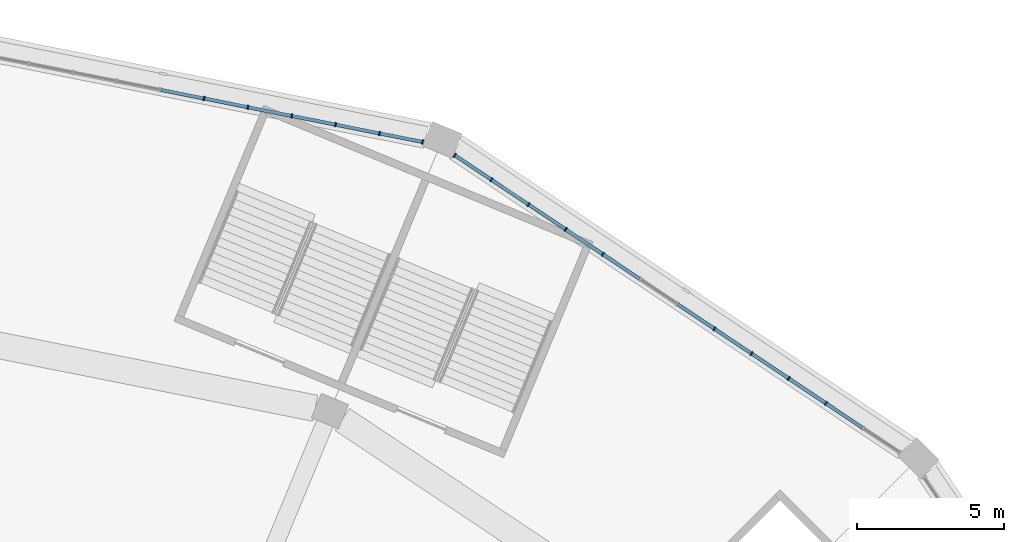
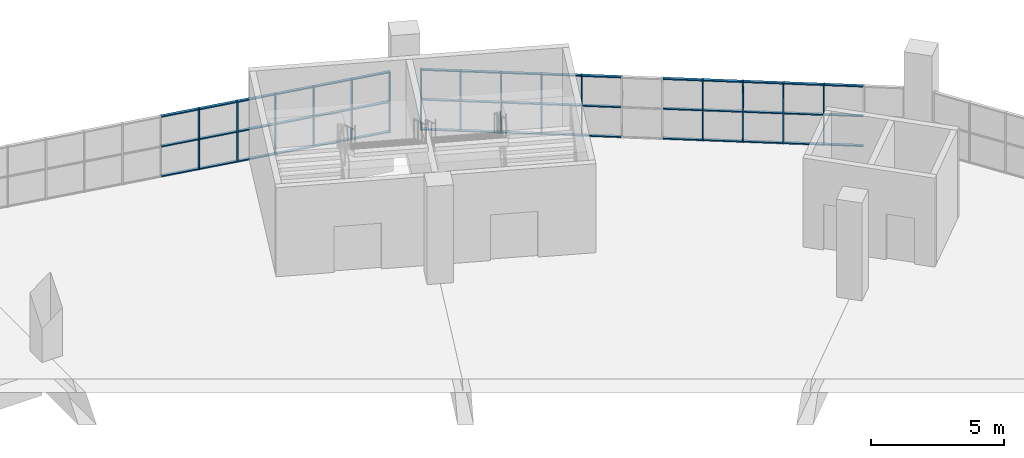
# One storey, part 53 of 199: 63 members, 2 elements without a shape of their own.
"""IFC4 building model written with IfcOpenShell, lengths in metres."""

import ifcopenshell
import ifcopenshell.guid

model = None  # the IFC model being written
_history = None  # IfcOwnerHistory: only IFC2X3 demands one
_inside = {}  # id of a spatial element -> (the spatial element, [elements in it])
_under = {}  # id of a project, library or spatial element -> (it, [spatial elements below it])
_declared = {}  # id of a project -> (the project, [libraries it declares])
_typed = {}  # id of a type object -> (the type object, [elements of that type])
_made_of = {}  # id of a material, layer set ... -> (it, [elements and type objects made of it])


def new_model(schema):
    """Start an empty IFC model of exactly this schema.

    Asked for "IFC4X3", IfcOpenShell would pick the latest addendum, in which some entities
    have other attributes; the version numbers below select the first issue.
    IFC2X3 requires an IfcOwnerHistory on every rooted entity: one is made here for all.
    """
    global model, _history
    if schema == "IFC4X3":
        model = ifcopenshell.file(schema_version=(4, 3, 0, 0))
    else:
        model = ifcopenshell.file(schema=schema)
    _inside.clear()
    _under.clear()
    _declared.clear()
    _typed.clear()
    _made_of.clear()
    _history = None
    if model.schema == "IFC2X3":
        org = make("IfcOrganization", Name="unknown")
        user = make(
            "IfcPersonAndOrganization",
            ThePerson=make("IfcPerson", FamilyName="unknown"),
            TheOrganization=org,
        )
        app = make(
            "IfcApplication",
            ApplicationDeveloper=org,
            Version="unknown",
            ApplicationFullName="unknown",
            ApplicationIdentifier="unknown",
        )
        _history = make(
            "IfcOwnerHistory",
            OwningUser=user,
            OwningApplication=app,
            ChangeAction="ADDED",
            CreationDate=0,
        )
    return model


def make(cls, **values):
    """One entity of the class cls with the attributes given. An attribute that is None is left unset."""
    return model.create_entity(
        cls, **{name: value for name, value in values.items() if value is not None}
    )


def rooted(cls, **values):
    """An entity with a GlobalId (a new one), such as an element, a storey or a relation."""
    return make(cls, GlobalId=ifcopenshell.guid.new(), OwnerHistory=_history, **values)


def si_unit(unit_type, name, prefix=None):
    """IfcSIUnit, for example si_unit("LENGTHUNIT", "METRE", prefix="MILLI")."""
    return make("IfcSIUnit", UnitType=unit_type, Prefix=prefix, Name=name)


def assignment(units):
    """IfcUnitAssignment: the units of a project."""
    return None if units is None else make("IfcUnitAssignment", Units=units)


def point(xyz):
    """IfcCartesianPoint."""
    return None if xyz is None else make("IfcCartesianPoint", Coordinates=xyz)


def direction(xyz):
    """IfcDirection."""
    return None if xyz is None else make("IfcDirection", DirectionRatios=xyz)


def frame(location, z_axis=None, x_axis=None):
    """IfcAxis2Placement3D, a coordinate frame: its origin and axes. An axis left out is left unset."""
    return make(
        "IfcAxis2Placement3D",
        Location=point(location),
        Axis=direction(z_axis),
        RefDirection=direction(x_axis),
    )


def frame_2d(location, x_axis=None):
    """IfcAxis2Placement2D, a coordinate frame in the plane: its origin and x axis."""
    return make(
        "IfcAxis2Placement2D", Location=point(location), RefDirection=direction(x_axis)
    )


def origin():
    """The frame at (0, 0, 0) with its axes left unset."""
    return frame((0.0, 0.0, 0.0))


def origin_2d():
    """The frame at (0, 0) in the plane with its x axis left unset."""
    return frame_2d((0.0, 0.0))


def place(relative_to, where):
    """IfcLocalPlacement: puts the frame where relative to a parent placement (None: the world)."""
    return make(
        "IfcLocalPlacement", PlacementRelTo=relative_to, RelativePlacement=where
    )


def context(
    kind, dimensions, precision=None, world=None, true_north=None, identifier=None
):
    """IfcGeometricRepresentationContext, for example the 3D "Model" context."""
    return make(
        "IfcGeometricRepresentationContext",
        ContextIdentifier=identifier,
        ContextType=kind,
        CoordinateSpaceDimension=dimensions,
        Precision=precision,
        WorldCoordinateSystem=world,
        TrueNorth=true_north,
    )


def subcontext(parent, identifier, kind, view, scale=None):
    """IfcGeometricRepresentationSubContext, for example "Body" below "Model"."""
    return make(
        "IfcGeometricRepresentationSubContext",
        ContextIdentifier=identifier,
        ContextType=kind,
        ParentContext=parent,
        TargetScale=scale,
        TargetView=view,
    )


def project(units=None, contexts=None):
    """IfcProject with its units and contexts."""
    return rooted(
        "IfcProject",
        Name="project",
        RepresentationContexts=contexts,
        UnitsInContext=assignment(units),
    )


def spatial(cls, under=None, at=None, **own):
    """A site, building, storey or space (cls), placed at a placement, below another one or the project."""
    s = rooted(cls, ObjectPlacement=at, **own)
    if under is not None:
        _under.setdefault(under.id(), (under, []))[1].append(s)
    return s


def profile(cls, at=None, kind="AREA", **sizes):
    """A parametric profile (cls). Its sizes go by their IFC names, for example OverallWidth=200.0."""
    return make(cls, ProfileType=kind, Position=at, **sizes)


def rectangle(**sizes):
    """IfcRectangleProfileDef."""
    return profile("IfcRectangleProfileDef", **sizes)


def extrude(swept, where, along, depth):
    """IfcExtrudedAreaSolid: the profile swept, set in the frame where, extruded along a direction by depth."""
    return make(
        "IfcExtrudedAreaSolid",
        SweptArea=swept,
        Position=where,
        ExtrudedDirection=direction(along),
        Depth=depth,
    )


def shape(context_of_items, identifier, shape_type, items):
    """IfcShapeRepresentation: the items that make up one representation, for example the "Body"."""
    return make(
        "IfcShapeRepresentation",
        ContextOfItems=context_of_items,
        RepresentationIdentifier=identifier,
        RepresentationType=shape_type,
        Items=items,
    )


def material(Name=None, Category=None):
    """IfcMaterial."""
    return make("IfcMaterial", Name=Name, Category=Category)


def material_profile(
    of_material, cross_section, Name=None, Category=None, Priority=None
):
    """IfcMaterialProfile: a cross section and its material."""
    return make(
        "IfcMaterialProfile",
        Name=Name,
        Material=of_material,
        Profile=cross_section,
        Priority=Priority,
        Category=Category,
    )


def profile_set(profiles, Name=None, composite=None):
    """IfcMaterialProfileSet."""
    return make(
        "IfcMaterialProfileSet",
        Name=Name,
        MaterialProfiles=profiles,
        CompositeProfile=composite,
    )


def made_of(thing, what):
    """Note that an element or type object is made of a material, layer set ...; save() writes the relation."""
    if what is not None:
        _made_of.setdefault(what.id(), (what, []))[1].append(thing)
    return thing


def type_object(cls, material=None, **own):
    """A type object (cls), such as IfcWallType, which elements share."""
    return made_of(rooted(cls, **own), material)


def element(
    cls,
    number,
    at=None,
    inside=None,
    cuts=None,
    type_object=None,
    material=None,
    context=None,
    identifier="Body",
    shape_type=None,
    held_by="IfcProductDefinitionShape",
    body=None,
    shapes=None,
    **own,
):
    """One element of the class cls, such as IfcWall. Its Tag is "e" and its number.

    at: its placement. inside: the storey or other place that contains it. cuts: it is an
    opening in that element (IfcRelVoidsElement). A single representation is given by context,
    identifier, shape_type and body (its items); several are given by shapes. held_by: the class
    of the entity that holds the representations. save() writes the other relations.
    """
    e = rooted(cls, Tag="e%d" % number, ObjectPlacement=at, **own)
    if body is not None:
        shapes = [shape(context, identifier, shape_type, body)]
    if shapes is not None:
        e.Representation = make(held_by, Representations=shapes)
    if inside is not None:
        _inside.setdefault(inside.id(), (inside, []))[1].append(e)
    if cuts is not None:
        rooted(
            "IfcRelVoidsElement", RelatingBuildingElement=cuts, RelatedOpeningElement=e
        )
    if type_object is not None:
        _typed.setdefault(type_object.id(), (type_object, []))[1].append(e)
    return made_of(e, material)


def aggregate(whole, parts):
    """IfcRelAggregates: a whole, such as a stair, and the parts it consists of."""
    return rooted("IfcRelAggregates", RelatingObject=whole, RelatedObjects=parts)


def save(model, path):
    """Write the relations noted so far, then the file.

    IfcRelAggregates (storeys below a building ...), IfcRelContainedInSpatialStructure (elements
    in a storey), IfcRelDefinesByType, IfcRelAssociatesMaterial and IfcRelDeclares: one each for
    every whole, place, type object, material and project.
    """
    for whole, parts in _under.values():
        aggregate(whole, parts)
    for where, things in _inside.values():
        rooted(
            "IfcRelContainedInSpatialStructure",
            RelatedElements=things,
            RelatingStructure=where,
        )
    for kind, things in _typed.values():
        rooted("IfcRelDefinesByType", RelatedObjects=things, RelatingType=kind)
    for what, things in _made_of.values():
        rooted("IfcRelAssociatesMaterial", RelatedObjects=things, RelatingMaterial=what)
    for by, libraries in _declared.values():
        rooted("IfcRelDeclares", RelatingContext=by, RelatedDefinitions=libraries)
    model.write(path)


model = new_model("IFC4")

# Units and contexts
model_context = context("Model", 3, precision=1e-05, world=origin(), true_north=direction((0.0, 1.0)))
body_context = subcontext(model_context, "Body", "Model", "MODEL_VIEW")
ifc_project = project(units=[si_unit("LENGTHUNIT", "METRE"), si_unit("AREAUNIT", "SQUARE_METRE"), si_unit("VOLUMEUNIT", "CUBIC_METRE"), si_unit("PLANEANGLEUNIT", "RADIAN"), si_unit("MASSUNIT", "GRAM", prefix="KILO")], contexts=[model_context])

# Site, building, storey
site_placement = place(None, origin())
site = spatial("IfcSite", under=ifc_project, at=site_placement, CompositionType="ELEMENT")
building_placement = place(site_placement, origin())
building = spatial("IfcBuilding", under=site, at=building_placement, Name="Ogive Plaza Stadium", CompositionType="ELEMENT")
storey_placement = place(building_placement, frame((0.0, 0.0, 9.0)))
storey = spatial("IfcBuildingStorey", under=building, at=storey_placement, Name="L02", CompositionType="ELEMENT", Elevation=9.0)

# Curtain wall, members
ifc_material_1 = material(Name="Bronze-anodised aluminium with laminated glass", Category="aluminium")
curtain_wall_type = type_object("IfcCurtainWallType", Name="Lancet curtain wall", PredefinedType="NOTDEFINED", material=ifc_material_1)
curtain_wall_1_placement = place(storey_placement, origin())
curtain_wall_1 = element("IfcCurtainWall", 1, at=curtain_wall_1_placement, inside=storey, type_object=curtain_wall_type, Name="CURTAIN WALL B37 L02", PredefinedType="NOTDEFINED")
ifc_material_2 = material(Name="Bronze-anodised aluminium", Category="aluminium")
ifc_material_profile_1 = material_profile(ifc_material_2, rectangle(XDim=0.14990234375, YDim=0.050048828125, at=origin_2d()), Name="AL 150x50")
ifc_profile_set_1 = profile_set([ifc_material_profile_1], Name="Bronze-anodised aluminium")
member_type_1 = type_object("IfcMemberType", Name="Curtain wall mullion 50x150", PredefinedType="MULLION", material=ifc_profile_set_1)
member_1_placement = place(storey_placement, frame((45.021240234375, 100.103759765625, 0.0), z_axis=(0.0, 0.0, 1.0), x_axis=(0.195090322033, 0.9807852804, 0.0)))
member_1 = element("IfcMember", 2, at=member_1_placement, type_object=member_type_1, Name="CW-B37-L02 mullion 8", PredefinedType="MULLION", context=body_context, shape_type="SweptSolid", body=[
    extrude(rectangle(XDim=0.14990234375, YDim=0.050048828125, at=origin_2d()), origin(), (0.0, 0.0, 1.0), 2.7900390625),
])
member_2_placement = place(storey_placement, frame((46.51416015625, 99.806884765625, 0.0), z_axis=(0.0, 0.0, 1.0), x_axis=(0.195090322033, 0.9807852804, 0.0)))
member_2 = element("IfcMember", 3, at=member_2_placement, type_object=member_type_1, Name="CW-B37-L02 mullion 9", PredefinedType="MULLION", context=body_context, shape_type="SweptSolid", body=[
    extrude(rectangle(XDim=0.14990234375, YDim=0.050048828125, at=origin_2d()), origin(), (0.0, 0.0, 1.0), 2.7900390625),
])
member_3_placement = place(storey_placement, frame((48.00732421875, 99.509765625, 0.0), z_axis=(0.0, 0.0, 1.0), x_axis=(0.195090322033, 0.9807852804, 0.0)))
member_3 = element("IfcMember", 4, at=member_3_placement, type_object=member_type_1, Name="CW-B37-L02 mullion 10", PredefinedType="MULLION", context=body_context, shape_type="SweptSolid", body=[
    extrude(rectangle(XDim=0.14990234375, YDim=0.050048828125, at=origin_2d()), origin(), (0.0, 0.0, 1.0), 2.7900390625),
])
member_4_placement = place(storey_placement, frame((49.50048828125, 99.212890625, 0.0), z_axis=(0.0, 0.0, 1.0), x_axis=(0.195090322033, 0.9807852804, 0.0)))
member_4 = element("IfcMember", 5, at=member_4_placement, type_object=member_type_1, Name="CW-B37-L02 mullion 11", PredefinedType="MULLION", context=body_context, shape_type="SweptSolid", body=[
    extrude(rectangle(XDim=0.14990234375, YDim=0.050048828125, at=origin_2d()), origin(), (0.0, 0.0, 1.0), 2.7900390625),
])
member_5_placement = place(storey_placement, frame((50.99365234375, 98.915771484375, 0.0), z_axis=(0.0, 0.0, 1.0), x_axis=(0.195090322033, 0.9807852804, 0.0)))
member_5 = element("IfcMember", 6, at=member_5_placement, type_object=member_type_1, Name="CW-B37-L02 mullion 12", PredefinedType="MULLION", context=body_context, shape_type="SweptSolid", body=[
    extrude(rectangle(XDim=0.14990234375, YDim=0.050048828125, at=origin_2d()), origin(), (0.0, 0.0, 1.0), 2.7900390625),
])
member_6_placement = place(storey_placement, frame((52.462158203125, 98.623779296875, 0.0), z_axis=(0.0, 0.0, 1.0), x_axis=(0.195090322033, 0.9807852804, 0.0)))
member_6 = element("IfcMember", 7, at=member_6_placement, type_object=member_type_1, Name="CW-B37-L02 mullion 13", PredefinedType="MULLION", context=body_context, shape_type="SweptSolid", body=[
    extrude(rectangle(XDim=0.14990234375, YDim=0.050048828125, at=origin_2d()), origin(), (0.0, 0.0, 1.0), 2.7900390625),
])

curtain_wall_2_placement = place(storey_placement, origin())
curtain_wall_2 = element("IfcCurtainWall", 8, at=curtain_wall_2_placement, inside=storey, type_object=curtain_wall_type, Name="CURTAIN WALL B38 L02", PredefinedType="NOTDEFINED")
member_7_placement = place(storey_placement, frame((53.559814453125, 98.169189453125, 0.0), z_axis=(0.0, 0.0, 1.0), x_axis=(0.55557023302, 0.831469612303, 0.0)))
member_7 = element("IfcMember", 9, at=member_7_placement, type_object=member_type_1, Name="CW-B38-L02 mullion 1", PredefinedType="MULLION", context=body_context, shape_type="SweptSolid", body=[
    extrude(rectangle(XDim=0.14990234375, YDim=0.050048828125, at=origin_2d()), origin(), (0.0, 0.0, 1.0), 2.7900390625),
])
member_8_placement = place(storey_placement, frame((54.8046875, 97.337158203125, 0.0), z_axis=(0.0, 0.0, 1.0), x_axis=(0.55557023302, 0.831469612303, 0.0)))
member_8 = element("IfcMember", 10, at=member_8_placement, type_object=member_type_1, Name="CW-B38-L02 mullion 2", PredefinedType="MULLION", context=body_context, shape_type="SweptSolid", body=[
    extrude(rectangle(XDim=0.14990234375, YDim=0.050048828125, at=origin_2d()), origin(), (0.0, 0.0, 1.0), 2.7900390625),
])
member_9_placement = place(storey_placement, frame((56.070556640625, 96.491455078125, 0.0), z_axis=(0.0, 0.0, 1.0), x_axis=(0.55557023302, 0.831469612303, 0.0)))
member_9 = element("IfcMember", 11, at=member_9_placement, type_object=member_type_1, Name="CW-B38-L02 mullion 3", PredefinedType="MULLION", context=body_context, shape_type="SweptSolid", body=[
    extrude(rectangle(XDim=0.14990234375, YDim=0.050048828125, at=origin_2d()), origin(), (0.0, 0.0, 1.0), 2.7900390625),
])
member_10_placement = place(storey_placement, frame((57.336181640625, 95.645751953125, 0.0), z_axis=(0.0, 0.0, 1.0), x_axis=(0.55557023302, 0.831469612303, 0.0)))
member_10 = element("IfcMember", 12, at=member_10_placement, type_object=member_type_1, Name="CW-B38-L02 mullion 4", PredefinedType="MULLION", context=body_context, shape_type="SweptSolid", body=[
    extrude(rectangle(XDim=0.14990234375, YDim=0.050048828125, at=origin_2d()), origin(), (0.0, 0.0, 1.0), 2.7900390625),
])
member_11_placement = place(storey_placement, frame((58.60205078125, 94.7998046875, 0.0), z_axis=(0.0, 0.0, 1.0), x_axis=(0.55557023302, 0.831469612303, 0.0)))
member_11 = element("IfcMember", 13, at=member_11_placement, type_object=member_type_1, Name="CW-B38-L02 mullion 5", PredefinedType="MULLION", context=body_context, shape_type="SweptSolid", body=[
    extrude(rectangle(XDim=0.14990234375, YDim=0.050048828125, at=origin_2d()), origin(), (0.0, 0.0, 1.0), 2.7900390625),
])
member_12_placement = place(storey_placement, frame((62.3994140625, 92.2626953125, 0.0), z_axis=(0.0, 0.0, 1.0), x_axis=(0.55557023302, 0.831469612303, 0.0)))
member_12 = element("IfcMember", 14, at=member_12_placement, type_object=member_type_1, Name="CW-B38-L02 mullion 8", PredefinedType="MULLION", context=body_context, shape_type="SweptSolid", body=[
    extrude(rectangle(XDim=0.14990234375, YDim=0.050048828125, at=origin_2d()), origin(), (0.0, 0.0, 1.0), 2.7900390625),
])
member_13_placement = place(storey_placement, frame((63.665283203125, 91.416748046875, 0.0), z_axis=(0.0, 0.0, 1.0), x_axis=(0.55557023302, 0.831469612303, 0.0)))
member_13 = element("IfcMember", 15, at=member_13_placement, type_object=member_type_1, Name="CW-B38-L02 mullion 9", PredefinedType="MULLION", context=body_context, shape_type="SweptSolid", body=[
    extrude(rectangle(XDim=0.14990234375, YDim=0.050048828125, at=origin_2d()), origin(), (0.0, 0.0, 1.0), 2.7900390625),
])
member_14_placement = place(storey_placement, frame((64.930908203125, 90.571044921875, 0.0), z_axis=(0.0, 0.0, 1.0), x_axis=(0.55557023302, 0.831469612303, 0.0)))
member_14 = element("IfcMember", 16, at=member_14_placement, type_object=member_type_1, Name="CW-B38-L02 mullion 10", PredefinedType="MULLION", context=body_context, shape_type="SweptSolid", body=[
    extrude(rectangle(XDim=0.14990234375, YDim=0.050048828125, at=origin_2d()), origin(), (0.0, 0.0, 1.0), 2.7900390625),
])
member_15_placement = place(storey_placement, frame((66.19677734375, 89.725341796875, 0.0), z_axis=(0.0, 0.0, 1.0), x_axis=(0.55557023302, 0.831469612303, 0.0)))
member_15 = element("IfcMember", 17, at=member_15_placement, type_object=member_type_1, Name="CW-B38-L02 mullion 11", PredefinedType="MULLION", context=body_context, shape_type="SweptSolid", body=[
    extrude(rectangle(XDim=0.14990234375, YDim=0.050048828125, at=origin_2d()), origin(), (0.0, 0.0, 1.0), 2.7900390625),
])

# Member
ifc_material_3 = material(Name="Bronze-anodised aluminium", Category="aluminium")
ifc_material_profile_2 = material_profile(ifc_material_3, rectangle(XDim=0.1201171875, YDim=0.050048828125, at=origin_2d()), Name="AL 120x50")
ifc_profile_set_2 = profile_set([ifc_material_profile_2], Name="Bronze-anodised aluminium")
member_type_2 = type_object("IfcMemberType", Name="Curtain wall transom 50x120", PredefinedType="USERDEFINED", material=ifc_profile_set_2)
member_16_placement = place(storey_placement, frame((43.552490234375, 100.39599609375, 0.02490234375), z_axis=(0.980771529367, -0.195159440417, 0.0), x_axis=(0.195159440417, 0.980771529367, 0.0)))
member_16 = element("IfcMember", 18, at=member_16_placement, type_object=member_type_2, Name="CW-B37-L02 transom 7.1", ObjectType="TRANSOM", PredefinedType="USERDEFINED", context=body_context, shape_type="SweptSolid", body=[
    extrude(rectangle(XDim=0.1201171875, YDim=0.050048828125, at=origin_2d()), origin(), (0.0, 0.0, 1.0), 1.472412109375),
])

member_17_placement = place(storey_placement, frame((43.552490234375, 100.39599609375, 1.39501953125), z_axis=(0.980771529367, -0.195159440417, 0.0), x_axis=(0.195159440417, 0.980771529367, 0.0)))
member_17 = element("IfcMember", 19, at=member_17_placement, type_object=member_type_2, Name="CW-B37-L02 transom 7.2", ObjectType="TRANSOM", PredefinedType="USERDEFINED", context=body_context, shape_type="SweptSolid", body=[
    extrude(rectangle(XDim=0.1201171875, YDim=0.050048828125, at=origin_2d()), origin(), (0.0, 0.0, 1.0), 1.472412109375),
])

member_18_placement = place(storey_placement, frame((43.552490234375, 100.39599609375, 2.764892578125), z_axis=(0.980771529367, -0.195159440417, 0.0), x_axis=(0.195159440417, 0.980771529367, 0.0)))
member_18 = element("IfcMember", 20, at=member_18_placement, type_object=member_type_2, Name="CW-B37-L02 transom 7.3", ObjectType="TRANSOM", PredefinedType="USERDEFINED", context=body_context, shape_type="SweptSolid", body=[
    extrude(rectangle(XDim=0.1201171875, YDim=0.050048828125, at=origin_2d()), origin(), (0.0, 0.0, 1.0), 1.472412109375),
])

member_19_placement = place(storey_placement, frame((45.045654296875, 100.098876953125, 0.02490234375), z_axis=(0.980803254763, -0.194999937042, 0.0), x_axis=(0.194999937042, 0.980803254763, 0.0)))
member_19 = element("IfcMember", 21, at=member_19_placement, type_object=member_type_2, Name="CW-B37-L02 transom 8.1", ObjectType="TRANSOM", PredefinedType="USERDEFINED", context=body_context, shape_type="SweptSolid", body=[
    extrude(rectangle(XDim=0.1201171875, YDim=0.050048828125, at=origin_2d()), origin(), (0.0, 0.0, 1.0), 1.472412109375),
])

member_20_placement = place(storey_placement, frame((45.045654296875, 100.098876953125, 1.39501953125), z_axis=(0.980803254763, -0.194999937042, 0.0), x_axis=(0.194999937042, 0.980803254763, 0.0)))
member_20 = element("IfcMember", 22, at=member_20_placement, type_object=member_type_2, Name="CW-B37-L02 transom 8.2", ObjectType="TRANSOM", PredefinedType="USERDEFINED", context=body_context, shape_type="SweptSolid", body=[
    extrude(rectangle(XDim=0.1201171875, YDim=0.050048828125, at=origin_2d()), origin(), (0.0, 0.0, 1.0), 1.472412109375),
])

member_21_placement = place(storey_placement, frame((45.045654296875, 100.098876953125, 2.764892578125), z_axis=(0.980803254763, -0.194999937042, 0.0), x_axis=(0.194999937042, 0.980803254763, 0.0)))
member_21 = element("IfcMember", 23, at=member_21_placement, type_object=member_type_2, Name="CW-B37-L02 transom 8.3", ObjectType="TRANSOM", PredefinedType="USERDEFINED", context=body_context, shape_type="SweptSolid", body=[
    extrude(rectangle(XDim=0.1201171875, YDim=0.050048828125, at=origin_2d()), origin(), (0.0, 0.0, 1.0), 1.472412109375),
])

member_22_placement = place(storey_placement, frame((46.538818359375, 99.802001953125, 0.02490234375), z_axis=(0.980771529367, -0.195159440417, 0.0), x_axis=(0.195159440417, 0.980771529367, 0.0)))
member_22 = element("IfcMember", 24, at=member_22_placement, type_object=member_type_2, Name="CW-B37-L02 transom 9.1", ObjectType="TRANSOM", PredefinedType="USERDEFINED", context=body_context, shape_type="SweptSolid", body=[
    extrude(rectangle(XDim=0.1201171875, YDim=0.050048828125, at=origin_2d()), origin(), (0.0, 0.0, 1.0), 1.472412109375),
])

member_23_placement = place(storey_placement, frame((46.538818359375, 99.802001953125, 1.39501953125), z_axis=(0.980771529367, -0.195159440417, 0.0), x_axis=(0.195159440417, 0.980771529367, 0.0)))
member_23 = element("IfcMember", 25, at=member_23_placement, type_object=member_type_2, Name="CW-B37-L02 transom 9.2", ObjectType="TRANSOM", PredefinedType="USERDEFINED", context=body_context, shape_type="SweptSolid", body=[
    extrude(rectangle(XDim=0.1201171875, YDim=0.050048828125, at=origin_2d()), origin(), (0.0, 0.0, 1.0), 1.472412109375),
])

member_24_placement = place(storey_placement, frame((46.538818359375, 99.802001953125, 2.764892578125), z_axis=(0.980771529367, -0.195159440417, 0.0), x_axis=(0.195159440417, 0.980771529367, 0.0)))
member_24 = element("IfcMember", 26, at=member_24_placement, type_object=member_type_2, Name="CW-B37-L02 transom 9.3", ObjectType="TRANSOM", PredefinedType="USERDEFINED", context=body_context, shape_type="SweptSolid", body=[
    extrude(rectangle(XDim=0.1201171875, YDim=0.050048828125, at=origin_2d()), origin(), (0.0, 0.0, 1.0), 1.472412109375),
])

member_25_placement = place(storey_placement, frame((48.031982421875, 99.5048828125, 0.02490234375), z_axis=(0.980796948065, -0.19503165555, 0.0), x_axis=(0.19503165555, 0.980796948065, 0.0)))
member_25 = element("IfcMember", 27, at=member_25_placement, type_object=member_type_2, Name="CW-B37-L02 transom 10.1", ObjectType="TRANSOM", PredefinedType="USERDEFINED", context=body_context, shape_type="SweptSolid", body=[
    extrude(rectangle(XDim=0.1201171875, YDim=0.050048828125, at=origin_2d()), origin(), (0.0, 0.0, 1.0), 1.47216796875),
])

member_26_placement = place(storey_placement, frame((48.031982421875, 99.5048828125, 1.39501953125), z_axis=(0.980796948065, -0.19503165555, 0.0), x_axis=(0.19503165555, 0.980796948065, 0.0)))
member_26 = element("IfcMember", 28, at=member_26_placement, type_object=member_type_2, Name="CW-B37-L02 transom 10.2", ObjectType="TRANSOM", PredefinedType="USERDEFINED", context=body_context, shape_type="SweptSolid", body=[
    extrude(rectangle(XDim=0.1201171875, YDim=0.050048828125, at=origin_2d()), origin(), (0.0, 0.0, 1.0), 1.47216796875),
])

member_27_placement = place(storey_placement, frame((48.031982421875, 99.5048828125, 2.764892578125), z_axis=(0.980796948065, -0.19503165555, 0.0), x_axis=(0.19503165555, 0.980796948065, 0.0)))
member_27 = element("IfcMember", 29, at=member_27_placement, type_object=member_type_2, Name="CW-B37-L02 transom 10.3", ObjectType="TRANSOM", PredefinedType="USERDEFINED", context=body_context, shape_type="SweptSolid", body=[
    extrude(rectangle(XDim=0.1201171875, YDim=0.050048828125, at=origin_2d()), origin(), (0.0, 0.0, 1.0), 1.47216796875),
])

member_28_placement = place(storey_placement, frame((49.52490234375, 99.2080078125, 0.02490234375), z_axis=(0.980771529367, -0.195159440417, 0.0), x_axis=(0.195159440417, 0.980771529367, 0.0)))
member_28 = element("IfcMember", 30, at=member_28_placement, type_object=member_type_2, Name="CW-B37-L02 transom 11.1", ObjectType="TRANSOM", PredefinedType="USERDEFINED", context=body_context, shape_type="SweptSolid", body=[
    extrude(rectangle(XDim=0.1201171875, YDim=0.050048828125, at=origin_2d()), origin(), (0.0, 0.0, 1.0), 1.472412109375),
])

member_29_placement = place(storey_placement, frame((49.52490234375, 99.2080078125, 1.39501953125), z_axis=(0.980771529367, -0.195159440417, 0.0), x_axis=(0.195159440417, 0.980771529367, 0.0)))
member_29 = element("IfcMember", 31, at=member_29_placement, type_object=member_type_2, Name="CW-B37-L02 transom 11.2", ObjectType="TRANSOM", PredefinedType="USERDEFINED", context=body_context, shape_type="SweptSolid", body=[
    extrude(rectangle(XDim=0.1201171875, YDim=0.050048828125, at=origin_2d()), origin(), (0.0, 0.0, 1.0), 1.472412109375),
])

member_30_placement = place(storey_placement, frame((49.52490234375, 99.2080078125, 2.764892578125), z_axis=(0.980771529367, -0.195159440417, 0.0), x_axis=(0.195159440417, 0.980771529367, 0.0)))
member_30 = element("IfcMember", 32, at=member_30_placement, type_object=member_type_2, Name="CW-B37-L02 transom 11.3", ObjectType="TRANSOM", PredefinedType="USERDEFINED", context=body_context, shape_type="SweptSolid", body=[
    extrude(rectangle(XDim=0.1201171875, YDim=0.050048828125, at=origin_2d()), origin(), (0.0, 0.0, 1.0), 1.472412109375),
])

member_31_placement = place(storey_placement, frame((51.01806640625, 98.910888671875, 0.02490234375), z_axis=(0.98080065826, -0.195012996379, 0.0), x_axis=(0.195012996379, 0.98080065826, 0.0)))
member_31 = element("IfcMember", 33, at=member_31_placement, type_object=member_type_2, Name="CW-B37-L02 transom 12.1", ObjectType="TRANSOM", PredefinedType="USERDEFINED", context=body_context, shape_type="SweptSolid", body=[
    extrude(rectangle(XDim=0.1201171875, YDim=0.050048828125, at=origin_2d()), origin(), (0.0, 0.0, 1.0), 1.447265625),
])

member_32_placement = place(storey_placement, frame((51.01806640625, 98.910888671875, 1.39501953125), z_axis=(0.98080065826, -0.195012996379, 0.0), x_axis=(0.195012996379, 0.98080065826, 0.0)))
member_32 = element("IfcMember", 34, at=member_32_placement, type_object=member_type_2, Name="CW-B37-L02 transom 12.2", ObjectType="TRANSOM", PredefinedType="USERDEFINED", context=body_context, shape_type="SweptSolid", body=[
    extrude(rectangle(XDim=0.1201171875, YDim=0.050048828125, at=origin_2d()), origin(), (0.0, 0.0, 1.0), 1.447265625),
])

member_33_placement = place(storey_placement, frame((51.01806640625, 98.910888671875, 2.764892578125), z_axis=(0.98080065826, -0.195012996379, 0.0), x_axis=(0.195012996379, 0.98080065826, 0.0)))
member_33 = element("IfcMember", 35, at=member_33_placement, type_object=member_type_2, Name="CW-B37-L02 transom 12.3", ObjectType="TRANSOM", PredefinedType="USERDEFINED", context=body_context, shape_type="SweptSolid", body=[
    extrude(rectangle(XDim=0.1201171875, YDim=0.050048828125, at=origin_2d()), origin(), (0.0, 0.0, 1.0), 1.447265625),
])

aggregate(curtain_wall_1, [member_1, member_2, member_3, member_4, member_5, member_6, member_16, member_17, member_18, member_19, member_20, member_21, member_22, member_23, member_24, member_25, member_26, member_27, member_28, member_29, member_30, member_31, member_32, member_33])

member_34_placement = place(storey_placement, frame((53.58056640625, 98.1552734375, 0.02490234375), z_axis=(0.831426948977, -0.555634077892, 0.0), x_axis=(0.555634077892, 0.831426948977, 0.0)))
member_34 = element("IfcMember", 36, at=member_34_placement, type_object=member_type_2, Name="CW-B38-L02 transom 1.1", ObjectType="TRANSOM", PredefinedType="USERDEFINED", context=body_context, shape_type="SweptSolid", body=[
    extrude(rectangle(XDim=0.1201171875, YDim=0.050048828125, at=origin_2d()), origin(), (0.0, 0.0, 1.0), 1.447265625),
])

member_35_placement = place(storey_placement, frame((53.58056640625, 98.1552734375, 1.39501953125), z_axis=(0.831426948977, -0.555634077892, 0.0), x_axis=(0.555634077892, 0.831426948977, 0.0)))
member_35 = element("IfcMember", 37, at=member_35_placement, type_object=member_type_2, Name="CW-B38-L02 transom 1.2", ObjectType="TRANSOM", PredefinedType="USERDEFINED", context=body_context, shape_type="SweptSolid", body=[
    extrude(rectangle(XDim=0.1201171875, YDim=0.050048828125, at=origin_2d()), origin(), (0.0, 0.0, 1.0), 1.447265625),
])

member_36_placement = place(storey_placement, frame((53.58056640625, 98.1552734375, 2.764892578125), z_axis=(0.831426948977, -0.555634077892, 0.0), x_axis=(0.555634077892, 0.831426948977, 0.0)))
member_36 = element("IfcMember", 38, at=member_36_placement, type_object=member_type_2, Name="CW-B38-L02 transom 1.3", ObjectType="TRANSOM", PredefinedType="USERDEFINED", context=body_context, shape_type="SweptSolid", body=[
    extrude(rectangle(XDim=0.1201171875, YDim=0.050048828125, at=origin_2d()), origin(), (0.0, 0.0, 1.0), 1.447265625),
])

member_37_placement = place(storey_placement, frame((54.825439453125, 97.3232421875, 0.02490234375), z_axis=(0.83153975619, -0.555465240925, 0.0), x_axis=(0.555465240925, 0.83153975619, 0.0)))
member_37 = element("IfcMember", 39, at=member_37_placement, type_object=member_type_2, Name="CW-B38-L02 transom 2.1", ObjectType="TRANSOM", PredefinedType="USERDEFINED", context=body_context, shape_type="SweptSolid", body=[
    extrude(rectangle(XDim=0.1201171875, YDim=0.050048828125, at=origin_2d()), origin(), (0.0, 0.0, 1.0), 1.472412109375),
])

member_38_placement = place(storey_placement, frame((54.825439453125, 97.3232421875, 1.39501953125), z_axis=(0.83153975619, -0.555465240925, 0.0), x_axis=(0.555465240925, 0.83153975619, 0.0)))
member_38 = element("IfcMember", 40, at=member_38_placement, type_object=member_type_2, Name="CW-B38-L02 transom 2.2", ObjectType="TRANSOM", PredefinedType="USERDEFINED", context=body_context, shape_type="SweptSolid", body=[
    extrude(rectangle(XDim=0.1201171875, YDim=0.050048828125, at=origin_2d()), origin(), (0.0, 0.0, 1.0), 1.472412109375),
])

member_39_placement = place(storey_placement, frame((54.825439453125, 97.3232421875, 2.764892578125), z_axis=(0.83153975619, -0.555465240925, 0.0), x_axis=(0.555465240925, 0.83153975619, 0.0)))
member_39 = element("IfcMember", 41, at=member_39_placement, type_object=member_type_2, Name="CW-B38-L02 transom 2.3", ObjectType="TRANSOM", PredefinedType="USERDEFINED", context=body_context, shape_type="SweptSolid", body=[
    extrude(rectangle(XDim=0.1201171875, YDim=0.050048828125, at=origin_2d()), origin(), (0.0, 0.0, 1.0), 1.472412109375),
])

member_40_placement = place(storey_placement, frame((56.09130859375, 96.4775390625, 0.02490234375), z_axis=(0.831488586159, -0.555541835587, 0.0), x_axis=(0.555541835587, 0.831488586159, 0.0)))
member_40 = element("IfcMember", 42, at=member_40_placement, type_object=member_type_2, Name="CW-B38-L02 transom 3.1", ObjectType="TRANSOM", PredefinedType="USERDEFINED", context=body_context, shape_type="SweptSolid", body=[
    extrude(rectangle(XDim=0.1201171875, YDim=0.050048828125, at=origin_2d()), origin(), (0.0, 0.0, 1.0), 1.47216796875),
])

member_41_placement = place(storey_placement, frame((56.09130859375, 96.4775390625, 1.39501953125), z_axis=(0.831488586159, -0.555541835587, 0.0), x_axis=(0.555541835587, 0.831488586159, 0.0)))
member_41 = element("IfcMember", 43, at=member_41_placement, type_object=member_type_2, Name="CW-B38-L02 transom 3.2", ObjectType="TRANSOM", PredefinedType="USERDEFINED", context=body_context, shape_type="SweptSolid", body=[
    extrude(rectangle(XDim=0.1201171875, YDim=0.050048828125, at=origin_2d()), origin(), (0.0, 0.0, 1.0), 1.47216796875),
])

member_42_placement = place(storey_placement, frame((56.09130859375, 96.4775390625, 2.764892578125), z_axis=(0.831488586159, -0.555541835587, 0.0), x_axis=(0.555541835587, 0.831488586159, 0.0)))
member_42 = element("IfcMember", 44, at=member_42_placement, type_object=member_type_2, Name="CW-B38-L02 transom 3.3", ObjectType="TRANSOM", PredefinedType="USERDEFINED", context=body_context, shape_type="SweptSolid", body=[
    extrude(rectangle(XDim=0.1201171875, YDim=0.050048828125, at=origin_2d()), origin(), (0.0, 0.0, 1.0), 1.47216796875),
])

member_43_placement = place(storey_placement, frame((57.357177734375, 95.6318359375, 0.02490234375), z_axis=(0.831411982446, -0.555656472512, 0.0), x_axis=(0.555656472512, 0.831411982446, 0.0)))
member_43 = element("IfcMember", 45, at=member_43_placement, type_object=member_type_2, Name="CW-B38-L02 transom 4.1", ObjectType="TRANSOM", PredefinedType="USERDEFINED", context=body_context, shape_type="SweptSolid", body=[
    extrude(rectangle(XDim=0.1201171875, YDim=0.050048828125, at=origin_2d()), origin(), (0.0, 0.0, 1.0), 1.472412109375),
])

member_44_placement = place(storey_placement, frame((57.357177734375, 95.6318359375, 1.39501953125), z_axis=(0.831411982446, -0.555656472512, 0.0), x_axis=(0.555656472512, 0.831411982446, 0.0)))
member_44 = element("IfcMember", 46, at=member_44_placement, type_object=member_type_2, Name="CW-B38-L02 transom 4.2", ObjectType="TRANSOM", PredefinedType="USERDEFINED", context=body_context, shape_type="SweptSolid", body=[
    extrude(rectangle(XDim=0.1201171875, YDim=0.050048828125, at=origin_2d()), origin(), (0.0, 0.0, 1.0), 1.472412109375),
])

member_45_placement = place(storey_placement, frame((57.357177734375, 95.6318359375, 2.764892578125), z_axis=(0.831411982446, -0.555656472512, 0.0), x_axis=(0.555656472512, 0.831411982446, 0.0)))
member_45 = element("IfcMember", 47, at=member_45_placement, type_object=member_type_2, Name="CW-B38-L02 transom 4.3", ObjectType="TRANSOM", PredefinedType="USERDEFINED", context=body_context, shape_type="SweptSolid", body=[
    extrude(rectangle(XDim=0.1201171875, YDim=0.050048828125, at=origin_2d()), origin(), (0.0, 0.0, 1.0), 1.472412109375),
])

member_46_placement = place(storey_placement, frame((58.622802734375, 94.7861328125, 0.02490234375), z_axis=(0.831463168883, -0.555579876157, 0.0), x_axis=(0.555579876157, 0.831463168883, 0.0)))
member_46 = element("IfcMember", 48, at=member_46_placement, type_object=member_type_2, Name="CW-B38-L02 transom 5.1", ObjectType="TRANSOM", PredefinedType="USERDEFINED", context=body_context, shape_type="SweptSolid", body=[
    extrude(rectangle(XDim=0.1201171875, YDim=0.050048828125, at=origin_2d()), origin(), (0.0, 0.0, 1.0), 1.47265625),
])

member_47_placement = place(storey_placement, frame((58.622802734375, 94.7861328125, 1.39501953125), z_axis=(0.831463168883, -0.555579876157, 0.0), x_axis=(0.555579876157, 0.831463168883, 0.0)))
member_47 = element("IfcMember", 49, at=member_47_placement, type_object=member_type_2, Name="CW-B38-L02 transom 5.2", ObjectType="TRANSOM", PredefinedType="USERDEFINED", context=body_context, shape_type="SweptSolid", body=[
    extrude(rectangle(XDim=0.1201171875, YDim=0.050048828125, at=origin_2d()), origin(), (0.0, 0.0, 1.0), 1.47265625),
])

member_48_placement = place(storey_placement, frame((58.622802734375, 94.7861328125, 2.764892578125), z_axis=(0.831463168883, -0.555579876157, 0.0), x_axis=(0.555579876157, 0.831463168883, 0.0)))
member_48 = element("IfcMember", 50, at=member_48_placement, type_object=member_type_2, Name="CW-B38-L02 transom 5.3", ObjectType="TRANSOM", PredefinedType="USERDEFINED", context=body_context, shape_type="SweptSolid", body=[
    extrude(rectangle(XDim=0.1201171875, YDim=0.050048828125, at=origin_2d()), origin(), (0.0, 0.0, 1.0), 1.47265625),
])

member_49_placement = place(storey_placement, frame((61.154541015625, 93.094482421875, 0.02490234375), z_axis=(0.831411982446, -0.555656472512, 0.0), x_axis=(0.555656472512, 0.831411982446, 0.0)))
member_49 = element("IfcMember", 51, at=member_49_placement, type_object=member_type_2, Name="CW-B38-L02 transom 7.1", ObjectType="TRANSOM", PredefinedType="USERDEFINED", context=body_context, shape_type="SweptSolid", body=[
    extrude(rectangle(XDim=0.1201171875, YDim=0.050048828125, at=origin_2d()), origin(), (0.0, 0.0, 1.0), 1.472412109375),
])

member_50_placement = place(storey_placement, frame((61.154541015625, 93.094482421875, 1.39501953125), z_axis=(0.831411982446, -0.555656472512, 0.0), x_axis=(0.555656472512, 0.831411982446, 0.0)))
member_50 = element("IfcMember", 52, at=member_50_placement, type_object=member_type_2, Name="CW-B38-L02 transom 7.2", ObjectType="TRANSOM", PredefinedType="USERDEFINED", context=body_context, shape_type="SweptSolid", body=[
    extrude(rectangle(XDim=0.1201171875, YDim=0.050048828125, at=origin_2d()), origin(), (0.0, 0.0, 1.0), 1.472412109375),
])

member_51_placement = place(storey_placement, frame((61.154541015625, 93.094482421875, 2.764892578125), z_axis=(0.831411982446, -0.555656472512, 0.0), x_axis=(0.555656472512, 0.831411982446, 0.0)))
member_51 = element("IfcMember", 53, at=member_51_placement, type_object=member_type_2, Name="CW-B38-L02 transom 7.3", ObjectType="TRANSOM", PredefinedType="USERDEFINED", context=body_context, shape_type="SweptSolid", body=[
    extrude(rectangle(XDim=0.1201171875, YDim=0.050048828125, at=origin_2d()), origin(), (0.0, 0.0, 1.0), 1.472412109375),
])

member_52_placement = place(storey_placement, frame((62.420166015625, 92.248779296875, 0.02490234375), z_axis=(0.831463168883, -0.555579876157, 0.0), x_axis=(0.555579876157, 0.831463168883, 0.0)))
member_52 = element("IfcMember", 54, at=member_52_placement, type_object=member_type_2, Name="CW-B38-L02 transom 8.1", ObjectType="TRANSOM", PredefinedType="USERDEFINED", context=body_context, shape_type="SweptSolid", body=[
    extrude(rectangle(XDim=0.1201171875, YDim=0.050048828125, at=origin_2d()), origin(), (0.0, 0.0, 1.0), 1.47265625),
])

member_53_placement = place(storey_placement, frame((62.420166015625, 92.248779296875, 1.39501953125), z_axis=(0.831463168883, -0.555579876157, 0.0), x_axis=(0.555579876157, 0.831463168883, 0.0)))
member_53 = element("IfcMember", 55, at=member_53_placement, type_object=member_type_2, Name="CW-B38-L02 transom 8.2", ObjectType="TRANSOM", PredefinedType="USERDEFINED", context=body_context, shape_type="SweptSolid", body=[
    extrude(rectangle(XDim=0.1201171875, YDim=0.050048828125, at=origin_2d()), origin(), (0.0, 0.0, 1.0), 1.47265625),
])

member_54_placement = place(storey_placement, frame((62.420166015625, 92.248779296875, 2.764892578125), z_axis=(0.831463168883, -0.555579876157, 0.0), x_axis=(0.555579876157, 0.831463168883, 0.0)))
member_54 = element("IfcMember", 56, at=member_54_placement, type_object=member_type_2, Name="CW-B38-L02 transom 8.3", ObjectType="TRANSOM", PredefinedType="USERDEFINED", context=body_context, shape_type="SweptSolid", body=[
    extrude(rectangle(XDim=0.1201171875, YDim=0.050048828125, at=origin_2d()), origin(), (0.0, 0.0, 1.0), 1.47265625),
])

member_55_placement = place(storey_placement, frame((63.68603515625, 91.40283203125, 0.02490234375), z_axis=(0.831488586159, -0.555541835587, 0.0), x_axis=(0.555541835587, 0.831488586159, 0.0)))
member_55 = element("IfcMember", 57, at=member_55_placement, type_object=member_type_2, Name="CW-B38-L02 transom 9.1", ObjectType="TRANSOM", PredefinedType="USERDEFINED", context=body_context, shape_type="SweptSolid", body=[
    extrude(rectangle(XDim=0.1201171875, YDim=0.050048828125, at=origin_2d()), origin(), (0.0, 0.0, 1.0), 1.47216796875),
])

member_56_placement = place(storey_placement, frame((63.68603515625, 91.40283203125, 1.39501953125), z_axis=(0.831488586159, -0.555541835587, 0.0), x_axis=(0.555541835587, 0.831488586159, 0.0)))
member_56 = element("IfcMember", 58, at=member_56_placement, type_object=member_type_2, Name="CW-B38-L02 transom 9.2", ObjectType="TRANSOM", PredefinedType="USERDEFINED", context=body_context, shape_type="SweptSolid", body=[
    extrude(rectangle(XDim=0.1201171875, YDim=0.050048828125, at=origin_2d()), origin(), (0.0, 0.0, 1.0), 1.47216796875),
])

member_57_placement = place(storey_placement, frame((63.68603515625, 91.40283203125, 2.764892578125), z_axis=(0.831488586159, -0.555541835587, 0.0), x_axis=(0.555541835587, 0.831488586159, 0.0)))
member_57 = element("IfcMember", 59, at=member_57_placement, type_object=member_type_2, Name="CW-B38-L02 transom 9.3", ObjectType="TRANSOM", PredefinedType="USERDEFINED", context=body_context, shape_type="SweptSolid", body=[
    extrude(rectangle(XDim=0.1201171875, YDim=0.050048828125, at=origin_2d()), origin(), (0.0, 0.0, 1.0), 1.47216796875),
])

member_58_placement = place(storey_placement, frame((64.95166015625, 90.55712890625, 0.02490234375), z_axis=(0.83153975619, -0.555465240925, 0.0), x_axis=(0.555465240925, 0.83153975619, 0.0)))
member_58 = element("IfcMember", 60, at=member_58_placement, type_object=member_type_2, Name="CW-B38-L02 transom 10.1", ObjectType="TRANSOM", PredefinedType="USERDEFINED", context=body_context, shape_type="SweptSolid", body=[
    extrude(rectangle(XDim=0.1201171875, YDim=0.050048828125, at=origin_2d()), origin(), (0.0, 0.0, 1.0), 1.472412109375),
])

member_59_placement = place(storey_placement, frame((64.95166015625, 90.55712890625, 1.39501953125), z_axis=(0.83153975619, -0.555465240925, 0.0), x_axis=(0.555465240925, 0.83153975619, 0.0)))
member_59 = element("IfcMember", 61, at=member_59_placement, type_object=member_type_2, Name="CW-B38-L02 transom 10.2", ObjectType="TRANSOM", PredefinedType="USERDEFINED", context=body_context, shape_type="SweptSolid", body=[
    extrude(rectangle(XDim=0.1201171875, YDim=0.050048828125, at=origin_2d()), origin(), (0.0, 0.0, 1.0), 1.472412109375),
])

member_60_placement = place(storey_placement, frame((64.95166015625, 90.55712890625, 2.764892578125), z_axis=(0.83153975619, -0.555465240925, 0.0), x_axis=(0.555465240925, 0.83153975619, 0.0)))
member_60 = element("IfcMember", 62, at=member_60_placement, type_object=member_type_2, Name="CW-B38-L02 transom 10.3", ObjectType="TRANSOM", PredefinedType="USERDEFINED", context=body_context, shape_type="SweptSolid", body=[
    extrude(rectangle(XDim=0.1201171875, YDim=0.050048828125, at=origin_2d()), origin(), (0.0, 0.0, 1.0), 1.472412109375),
])

member_61_placement = place(storey_placement, frame((66.217529296875, 89.71142578125, 0.02490234375), z_axis=(0.831411982446, -0.555656472512, 0.0), x_axis=(0.555656472512, 0.831411982446, 0.0)))
member_61 = element("IfcMember", 63, at=member_61_placement, type_object=member_type_2, Name="CW-B38-L02 transom 11.1", ObjectType="TRANSOM", PredefinedType="USERDEFINED", context=body_context, shape_type="SweptSolid", body=[
    extrude(rectangle(XDim=0.1201171875, YDim=0.050048828125, at=origin_2d()), origin(), (0.0, 0.0, 1.0), 1.472412109375),
])

member_62_placement = place(storey_placement, frame((66.217529296875, 89.71142578125, 1.39501953125), z_axis=(0.831411982446, -0.555656472512, 0.0), x_axis=(0.555656472512, 0.831411982446, 0.0)))
member_62 = element("IfcMember", 64, at=member_62_placement, type_object=member_type_2, Name="CW-B38-L02 transom 11.2", ObjectType="TRANSOM", PredefinedType="USERDEFINED", context=body_context, shape_type="SweptSolid", body=[
    extrude(rectangle(XDim=0.1201171875, YDim=0.050048828125, at=origin_2d()), origin(), (0.0, 0.0, 1.0), 1.472412109375),
])

member_63_placement = place(storey_placement, frame((66.217529296875, 89.71142578125, 2.764892578125), z_axis=(0.831411982446, -0.555656472512, 0.0), x_axis=(0.555656472512, 0.831411982446, 0.0)))
member_63 = element("IfcMember", 65, at=member_63_placement, type_object=member_type_2, Name="CW-B38-L02 transom 11.3", ObjectType="TRANSOM", PredefinedType="USERDEFINED", context=body_context, shape_type="SweptSolid", body=[
    extrude(rectangle(XDim=0.1201171875, YDim=0.050048828125, at=origin_2d()), origin(), (0.0, 0.0, 1.0), 1.472412109375),
])

aggregate(curtain_wall_2, [member_7, member_8, member_9, member_10, member_11, member_12, member_13, member_14, member_15, member_34, member_35, member_36, member_37, member_38, member_39, member_40, member_41, member_42, member_43, member_44, member_45, member_46, member_47, member_48, member_49, member_50, member_51, member_52, member_53, member_54, member_55, member_56, member_57, member_58, member_59, member_60, member_61, member_62, member_63])

save(model, "model.ifc")
